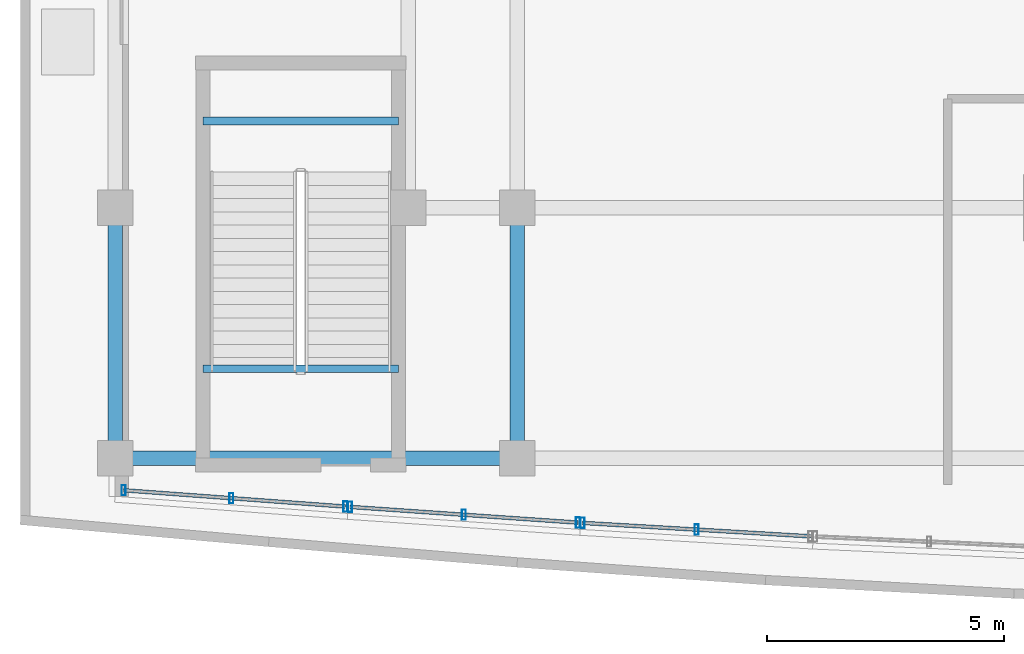
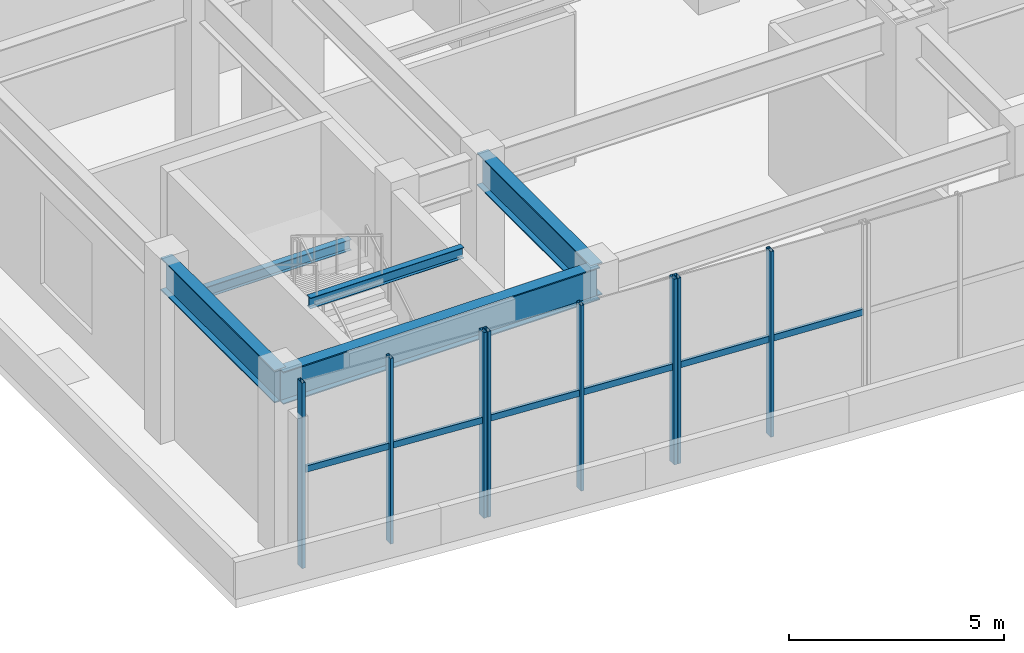
# One storey, part 2 of 24: 11 members, 5 beams, 3 elements without a shape of their own.
"""IFC4 building model written with IfcOpenShell, lengths in metres."""

from ifc_helpers import new_model, si_unit, direction, frame, origin, origin_2d, place, context, subcontext, project, spatial, hollow_rectangle, i_section, extrude, material, layer, layer_set, material_profile, profile_set, type_object, element, aggregate, save


model = new_model("IFC4")

# Units and contexts
model_context = context("Model", 3, precision=1e-05, world=origin(), true_north=direction((0.0, 1.0)))
body_context = subcontext(model_context, "Body", "Model", "MODEL_VIEW")
ifc_project = project(units=[si_unit("LENGTHUNIT", "METRE"), si_unit("AREAUNIT", "SQUARE_METRE"), si_unit("VOLUMEUNIT", "CUBIC_METRE"), si_unit("PLANEANGLEUNIT", "RADIAN"), si_unit("MASSUNIT", "GRAM", prefix="KILO")], contexts=[model_context])

# Site, building, storey
site_placement = place(None, origin())
site = spatial("IfcSite", under=ifc_project, at=site_placement, CompositionType="ELEMENT")
building_placement = place(site_placement, origin())
building = spatial("IfcBuilding", under=site, at=building_placement, Name="Vantalir Tower", CompositionType="ELEMENT")
storey_placement = place(building_placement, frame((0.0, 0.0, 16.0)))
storey = spatial("IfcBuildingStorey", under=building, at=storey_placement, Name="L03", CompositionType="ELEMENT", Elevation=16.0)

# Beams
ifc_material_1 = material(Name="Steel S355", Category="steel")
ifc_material_profile_1 = material_profile(ifc_material_1, i_section(OverallWidth=0.166015625, OverallDepth=0.306884765625, WebThickness=0.006591796875, FlangeThickness=0.01171875, at=origin_2d()), Name="Steel S355")
ifc_profile_set_1 = profile_set([ifc_material_profile_1], Name="Steel S355")
beam_type_1 = type_object("IfcBeamType", Name="BM-JS-305x165", PredefinedType="JOIST", material=ifc_profile_set_1)
for number, where, z_axis, x_axis, name in (
    (1, (3.860107421875, 5.094970703125, 5.345947265625), (1.0, 0.0, 0.0), (0.0, 1.0, 0.0), "L04 Stair PST3 Well Nosing Trimmer Beam"),
    (2, (3.860107421875, 10.3349609375, 2.39599609375), (1.0, 0.0, 0.0), (0.0, 1.0, 0.0), "L03 Stair PST3 Half-Landing Support Beam"),
):
    element("IfcBeam", number, at=place(storey_placement, frame(where, z_axis=z_axis, x_axis=x_axis)), inside=storey, type_object=beam_type_1, Name=name, PredefinedType="JOIST", context=body_context, shape_type="SweptSolid", body=[
        extrude(i_section(OverallWidth=0.166015625, OverallDepth=0.306884765625, WebThickness=0.006591796875, FlangeThickness=0.01171875, at=origin_2d()), origin(), (0.0, 0.0, 1.0), 4.1298828125),
    ])
ifc_material_profile_2 = material_profile(ifc_material_1, i_section(OverallWidth=0.30810546875, OverallDepth=0.927001953125, WebThickness=0.01953125, FlangeThickness=0.031982421875, at=origin_2d()), Name="Steel S355")
ifc_profile_set_2 = profile_set([ifc_material_profile_2], Name="Steel S355")
beam_type_2 = type_object("IfcBeamType", Name="BM-PG-914x305", PredefinedType="USERDEFINED", material=ifc_profile_set_2)
beam_placement = place(storey_placement, frame((2.0, 3.199951171875, 4.785888671875), z_axis=(1.0, 0.0, 0.0), x_axis=(0.0, 1.0, 0.0)))
element("IfcBeam", 3, at=beam_placement, inside=storey, type_object=beam_type_2, Name="L03 Podium E-W Girder 01", ObjectType="GIRDER", PredefinedType="USERDEFINED", context=body_context, shape_type="SweptSolid", body=[
    extrude(i_section(OverallWidth=0.30810546875, OverallDepth=0.927001953125, WebThickness=0.01953125, FlangeThickness=0.031982421875, at=origin_2d()), origin(), (0.0, 0.0, 1.0), 8.5),
])
for number, where, z_axis, x_axis, name in (
    (4, (2.0, 3.199951171875, 4.785888671875), (0.0, 1.0, 0.0), (-1.0, 0.0, 0.0), "L03 Podium N-S Girder 37"),
    (5, (10.5, 3.199951171875, 4.785888671875), (0.0, 1.0, 0.0), (-1.0, 0.0, 0.0), "L03 Podium N-S Girder 46"),
):
    element("IfcBeam", number, at=place(storey_placement, frame(where, z_axis=z_axis, x_axis=x_axis)), inside=storey, type_object=beam_type_2, Name=name, ObjectType="GIRDER", PredefinedType="USERDEFINED", context=body_context, shape_type="SweptSolid", body=[
        extrude(i_section(OverallWidth=0.30810546875, OverallDepth=0.927001953125, WebThickness=0.01953125, FlangeThickness=0.031982421875, at=origin_2d()), origin(), (0.0, 0.0, 1.0), 5.300048828125),
    ])

# Curtain wall, members
ifc_material_2 = material(Name="Champagne-silver PVDF aluminium and double-silver Low-E glass", Category="aluminium")
ifc_layer = layer(ifc_material_2, 0.239990234375)
ifc_layer_set = layer_set([ifc_layer], Name="Champagne-silver PVDF aluminium and double-silver Low-E glass")
curtain_wall_type = type_object("IfcCurtainWallType", Name="CW-PODIUM-WF", PredefinedType="USERDEFINED", material=ifc_layer_set)
curtain_wall_1_placement = place(storey_placement, origin())
curtain_wall_1 = element("IfcCurtainWall", 6, at=curtain_wall_1_placement, inside=storey, type_object=curtain_wall_type, Name="L03 Waterfront Stick Curtain Wall 01", ObjectType="STICK CURTAIN WALL", PredefinedType="USERDEFINED")
ifc_material_3 = material(Name="Champagne-silver PVDF aluminium 6063-T6", Category="aluminium")
ifc_material_profile_3 = material_profile(ifc_material_3, hollow_rectangle(XDim=0.0849609375, YDim=0.219970703125, WallThickness=0.0048828125, at=origin_2d()), Name="Champagne-silver PVDF aluminium 6063-T6")
ifc_profile_set_3 = profile_set([ifc_material_profile_3], Name="Champagne-silver PVDF aluminium 6063-T6")
member_type_1 = type_object("IfcMemberType", Name="CWM-220x85", PredefinedType="MULLION", material=ifc_profile_set_3)
member_1_placement = place(storey_placement, frame((2.179931640625, 2.527099609375, -0.011962890625), z_axis=(0.0, 0.0, 1.0), x_axis=(1.0, 0.0, 0.0)))
member_1 = element("IfcMember", 7, at=member_1_placement, type_object=member_type_1, Name="CW-L03-WF-01 Mullion 1", PredefinedType="MULLION", context=body_context, shape_type="SweptSolid", body=[
    extrude(hollow_rectangle(XDim=0.0849609375, YDim=0.219970703125, WallThickness=0.0048828125, at=origin_2d()), origin(), (0.0, 0.0, 1.0), 5.27392578125),
])
member_2_placement = place(storey_placement, frame((4.4580078125, 2.35888671875, -0.011962890625), z_axis=(0.0, 0.0, 1.0), x_axis=(1.0, 0.0, 0.0)))
member_2 = element("IfcMember", 8, at=member_2_placement, type_object=member_type_1, Name="CW-L03-WF-01 Mullion 2", PredefinedType="MULLION", context=body_context, shape_type="SweptSolid", body=[
    extrude(hollow_rectangle(XDim=0.0849609375, YDim=0.219970703125, WallThickness=0.0048828125, at=origin_2d()), origin(), (0.0, 0.0, 1.0), 5.27392578125),
])
member_3_placement = place(storey_placement, frame((6.866943359375, 2.181884765625, -0.011962890625), z_axis=(0.0, 0.0, 1.0), x_axis=(1.0, 0.0, 0.0)))
member_3 = element("IfcMember", 9, at=member_3_placement, type_object=member_type_1, Name="CW-L03-WF-01 Mullion 3", PredefinedType="MULLION", context=body_context, shape_type="SweptSolid", body=[
    extrude(hollow_rectangle(XDim=0.0849609375, YDim=0.219970703125, WallThickness=0.0048828125, at=origin_2d()), origin(), (0.0, 0.0, 1.0), 5.27392578125),
])

curtain_wall_2_placement = place(storey_placement, origin())
curtain_wall_2 = element("IfcCurtainWall", 10, at=curtain_wall_2_placement, inside=storey, type_object=curtain_wall_type, Name="L03 Waterfront Stick Curtain Wall 02", ObjectType="STICK CURTAIN WALL", PredefinedType="USERDEFINED")
member_4_placement = place(storey_placement, frame((6.967041015625, 2.175048828125, -0.011962890625), z_axis=(0.0, 0.0, 1.0), x_axis=(1.0, 0.0, 0.0)))
member_4 = element("IfcMember", 11, at=member_4_placement, type_object=member_type_1, Name="CW-L03-WF-02 Mullion 1", PredefinedType="MULLION", context=body_context, shape_type="SweptSolid", body=[
    extrude(hollow_rectangle(XDim=0.0849609375, YDim=0.219970703125, WallThickness=0.0048828125, at=origin_2d()), origin(), (0.0, 0.0, 1.0), 5.27392578125),
])
member_5_placement = place(storey_placement, frame((9.375, 2.009033203125, -0.011962890625), z_axis=(0.0, 0.0, 1.0), x_axis=(1.0, 0.0, 0.0)))
member_5 = element("IfcMember", 12, at=member_5_placement, type_object=member_type_1, Name="CW-L03-WF-02 Mullion 2", PredefinedType="MULLION", context=body_context, shape_type="SweptSolid", body=[
    extrude(hollow_rectangle(XDim=0.0849609375, YDim=0.219970703125, WallThickness=0.0048828125, at=origin_2d()), origin(), (0.0, 0.0, 1.0), 5.27392578125),
])
member_6_placement = place(storey_placement, frame((11.782958984375, 1.843017578125, -0.011962890625), z_axis=(0.0, 0.0, 1.0), x_axis=(1.0, 0.0, 0.0)))
member_6 = element("IfcMember", 13, at=member_6_placement, type_object=member_type_1, Name="CW-L03-WF-02 Mullion 3", PredefinedType="MULLION", context=body_context, shape_type="SweptSolid", body=[
    extrude(hollow_rectangle(XDim=0.0849609375, YDim=0.219970703125, WallThickness=0.0048828125, at=origin_2d()), origin(), (0.0, 0.0, 1.0), 5.27392578125),
])

curtain_wall_3_placement = place(storey_placement, origin())
curtain_wall_3 = element("IfcCurtainWall", 14, at=curtain_wall_3_placement, inside=storey, type_object=curtain_wall_type, Name="L03 Waterfront Stick Curtain Wall 03", ObjectType="STICK CURTAIN WALL", PredefinedType="USERDEFINED")
member_7_placement = place(storey_placement, frame((11.883056640625, 1.8369140625, -0.011962890625), z_axis=(0.0, 0.0, 1.0), x_axis=(1.0, 0.0, 0.0)))
member_7 = element("IfcMember", 15, at=member_7_placement, type_object=member_type_1, Name="CW-L03-WF-03 Mullion 1", PredefinedType="MULLION", context=body_context, shape_type="SweptSolid", body=[
    extrude(hollow_rectangle(XDim=0.0849609375, YDim=0.219970703125, WallThickness=0.0048828125, at=origin_2d()), origin(), (0.0, 0.0, 1.0), 5.27392578125),
])
member_8_placement = place(storey_placement, frame((14.2919921875, 1.695068359375, -0.011962890625), z_axis=(0.0, 0.0, 1.0), x_axis=(1.0, 0.0, 0.0)))
member_8 = element("IfcMember", 16, at=member_8_placement, type_object=member_type_1, Name="CW-L03-WF-03 Mullion 2", PredefinedType="MULLION", context=body_context, shape_type="SweptSolid", body=[
    extrude(hollow_rectangle(XDim=0.0849609375, YDim=0.219970703125, WallThickness=0.0048828125, at=origin_2d()), origin(), (0.0, 0.0, 1.0), 5.27392578125),
])

# Member
ifc_material_profile_4 = material_profile(ifc_material_3, hollow_rectangle(XDim=0.080078125, YDim=0.179931640625, WallThickness=0.0048828125, at=origin_2d()), Name="Champagne-silver PVDF aluminium 6063-T6")
ifc_profile_set_4 = profile_set([ifc_material_profile_4], Name="Champagne-silver PVDF aluminium 6063-T6")
member_type_2 = type_object("IfcMemberType", Name="CWT-180x80", PredefinedType="USERDEFINED", material=ifc_profile_set_4)
member_9_placement = place(storey_placement, frame((2.179931640625, 2.527099609375, 2.72998046875), z_axis=(0.997298566733, -0.073454535543, 0.0), x_axis=(0.073454535543, 0.997298566733, 0.0)))
member_9 = element("IfcMember", 17, at=member_9_placement, type_object=member_type_2, Name="CW-L03-WF-01 Transom 1", ObjectType="TRANSOM", PredefinedType="USERDEFINED", context=body_context, shape_type="SweptSolid", body=[
    extrude(hollow_rectangle(XDim=0.080078125, YDim=0.179931640625, WallThickness=0.0048828125, at=origin_2d()), origin(), (0.0, 0.0, 1.0), 4.69970703125),
])

aggregate(curtain_wall_1, [member_1, member_2, member_3, member_9])

member_10_placement = place(storey_placement, frame((6.967041015625, 2.175048828125, 2.72998046875), z_axis=(0.99763176464, -0.068781263303, 0.0), x_axis=(0.068781263303, 0.99763176464, 0.0)))
member_10 = element("IfcMember", 18, at=member_10_placement, type_object=member_type_2, Name="CW-L03-WF-02 Transom 1", ObjectType="TRANSOM", PredefinedType="USERDEFINED", context=body_context, shape_type="SweptSolid", body=[
    extrude(hollow_rectangle(XDim=0.080078125, YDim=0.179931640625, WallThickness=0.0048828125, at=origin_2d()), origin(), (0.0, 0.0, 1.0), 4.827392578125),
])

aggregate(curtain_wall_2, [member_4, member_5, member_6, member_10])

member_11_placement = place(storey_placement, frame((11.883056640625, 1.8369140625, 2.72998046875), z_axis=(0.998267212482, -0.058843627375, 0.0), x_axis=(0.058843627375, 0.998267212482, 0.0)))
member_11 = element("IfcMember", 19, at=member_11_placement, type_object=member_type_2, Name="CW-L03-WF-03 Transom 1", ObjectType="TRANSOM", PredefinedType="USERDEFINED", context=body_context, shape_type="SweptSolid", body=[
    extrude(hollow_rectangle(XDim=0.080078125, YDim=0.179931640625, WallThickness=0.0048828125, at=origin_2d()), origin(), (0.0, 0.0, 1.0), 4.8251953125),
])

aggregate(curtain_wall_3, [member_7, member_8, member_11])

save(model, "model.ifc")
